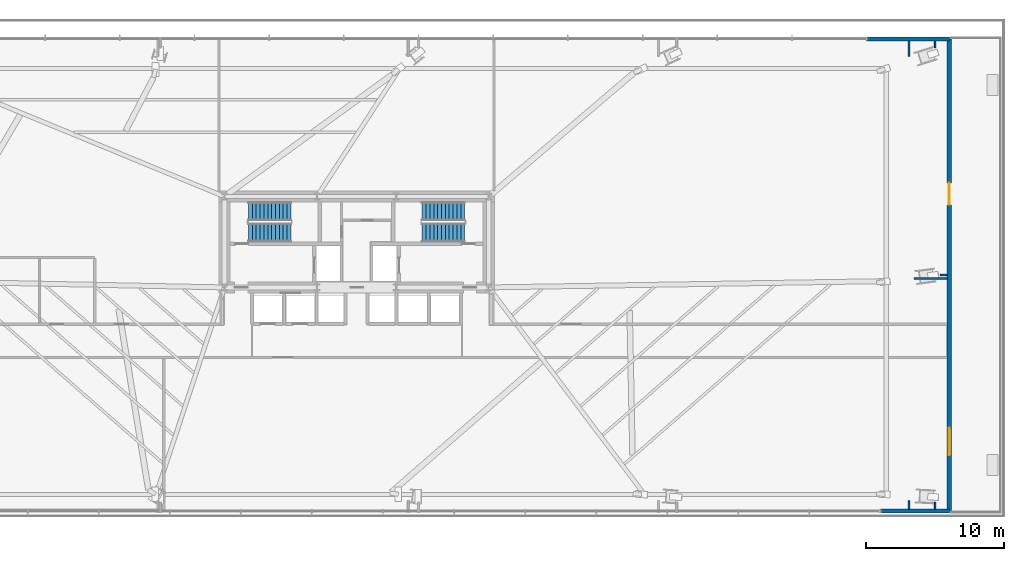
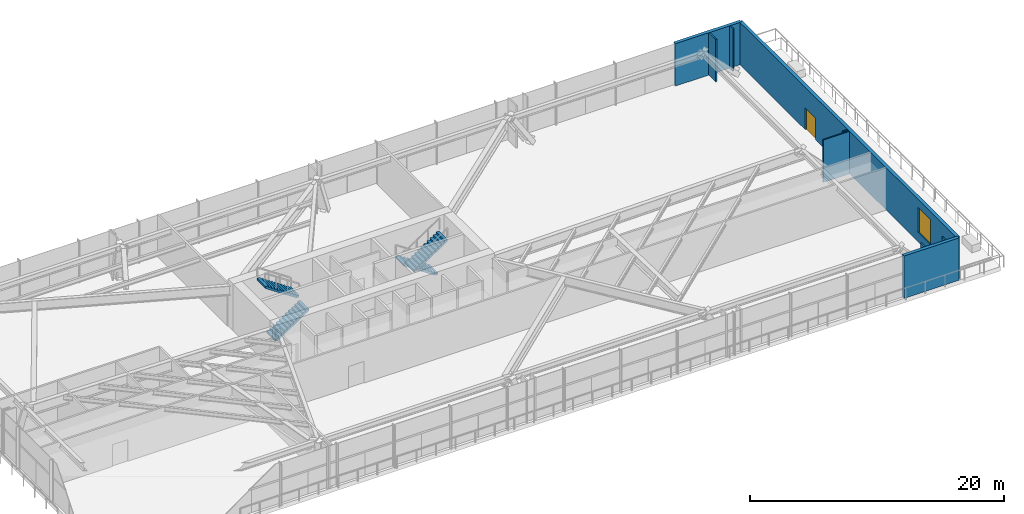
# One storey, part 28 of 36: 9 walls, 4 stair flights, 1 door, 1 window, 2 openings, 2 elements without a shape of their own.
"""IFC4 building model written with IfcOpenShell, lengths in metres."""

import ifcopenshell
import ifcopenshell.guid

model = None  # the IFC model being written
_history = None  # IfcOwnerHistory: only IFC2X3 demands one
_inside = {}  # id of a spatial element -> (the spatial element, [elements in it])
_under = {}  # id of a project, library or spatial element -> (it, [spatial elements below it])
_declared = {}  # id of a project -> (the project, [libraries it declares])
_typed = {}  # id of a type object -> (the type object, [elements of that type])
_made_of = {}  # id of a material, layer set ... -> (it, [elements and type objects made of it])


def new_model(schema):
    """Start an empty IFC model of exactly this schema.

    Asked for "IFC4X3", IfcOpenShell would pick the latest addendum, in which some entities
    have other attributes; the version numbers below select the first issue.
    IFC2X3 requires an IfcOwnerHistory on every rooted entity: one is made here for all.
    """
    global model, _history
    if schema == "IFC4X3":
        model = ifcopenshell.file(schema_version=(4, 3, 0, 0))
    else:
        model = ifcopenshell.file(schema=schema)
    _inside.clear()
    _under.clear()
    _declared.clear()
    _typed.clear()
    _made_of.clear()
    _history = None
    if model.schema == "IFC2X3":
        org = make("IfcOrganization", Name="unknown")
        user = make(
            "IfcPersonAndOrganization",
            ThePerson=make("IfcPerson", FamilyName="unknown"),
            TheOrganization=org,
        )
        app = make(
            "IfcApplication",
            ApplicationDeveloper=org,
            Version="unknown",
            ApplicationFullName="unknown",
            ApplicationIdentifier="unknown",
        )
        _history = make(
            "IfcOwnerHistory",
            OwningUser=user,
            OwningApplication=app,
            ChangeAction="ADDED",
            CreationDate=0,
        )
    return model


def make(cls, **values):
    """One entity of the class cls with the attributes given. An attribute that is None is left unset."""
    return model.create_entity(
        cls, **{name: value for name, value in values.items() if value is not None}
    )


def rooted(cls, **values):
    """An entity with a GlobalId (a new one), such as an element, a storey or a relation."""
    return make(cls, GlobalId=ifcopenshell.guid.new(), OwnerHistory=_history, **values)


def si_unit(unit_type, name, prefix=None):
    """IfcSIUnit, for example si_unit("LENGTHUNIT", "METRE", prefix="MILLI")."""
    return make("IfcSIUnit", UnitType=unit_type, Prefix=prefix, Name=name)


def assignment(units):
    """IfcUnitAssignment: the units of a project."""
    return None if units is None else make("IfcUnitAssignment", Units=units)


def point(xyz):
    """IfcCartesianPoint."""
    return None if xyz is None else make("IfcCartesianPoint", Coordinates=xyz)


def direction(xyz):
    """IfcDirection."""
    return None if xyz is None else make("IfcDirection", DirectionRatios=xyz)


def frame(location, z_axis=None, x_axis=None):
    """IfcAxis2Placement3D, a coordinate frame: its origin and axes. An axis left out is left unset."""
    return make(
        "IfcAxis2Placement3D",
        Location=point(location),
        Axis=direction(z_axis),
        RefDirection=direction(x_axis),
    )


def frame_2d(location, x_axis=None):
    """IfcAxis2Placement2D, a coordinate frame in the plane: its origin and x axis."""
    return make(
        "IfcAxis2Placement2D", Location=point(location), RefDirection=direction(x_axis)
    )


def origin():
    """The frame at (0, 0, 0) with its axes left unset."""
    return frame((0.0, 0.0, 0.0))


def place(relative_to, where):
    """IfcLocalPlacement: puts the frame where relative to a parent placement (None: the world)."""
    return make(
        "IfcLocalPlacement", PlacementRelTo=relative_to, RelativePlacement=where
    )


def context(
    kind, dimensions, precision=None, world=None, true_north=None, identifier=None
):
    """IfcGeometricRepresentationContext, for example the 3D "Model" context."""
    return make(
        "IfcGeometricRepresentationContext",
        ContextIdentifier=identifier,
        ContextType=kind,
        CoordinateSpaceDimension=dimensions,
        Precision=precision,
        WorldCoordinateSystem=world,
        TrueNorth=true_north,
    )


def subcontext(parent, identifier, kind, view, scale=None):
    """IfcGeometricRepresentationSubContext, for example "Body" below "Model"."""
    return make(
        "IfcGeometricRepresentationSubContext",
        ContextIdentifier=identifier,
        ContextType=kind,
        ParentContext=parent,
        TargetScale=scale,
        TargetView=view,
    )


def project(units=None, contexts=None):
    """IfcProject with its units and contexts."""
    return rooted(
        "IfcProject",
        Name="project",
        RepresentationContexts=contexts,
        UnitsInContext=assignment(units),
    )


def spatial(cls, under=None, at=None, **own):
    """A site, building, storey or space (cls), placed at a placement, below another one or the project."""
    s = rooted(cls, ObjectPlacement=at, **own)
    if under is not None:
        _under.setdefault(under.id(), (under, []))[1].append(s)
    return s


def polyline(points):
    """IfcPolyline through the points."""
    return make("IfcPolyline", Points=[point(p) for p in points])


def profile(cls, at=None, kind="AREA", **sizes):
    """A parametric profile (cls). Its sizes go by their IFC names, for example OverallWidth=200.0."""
    return make(cls, ProfileType=kind, Position=at, **sizes)


def rectangle(**sizes):
    """IfcRectangleProfileDef."""
    return profile("IfcRectangleProfileDef", **sizes)


def outline(outer, holes=None, kind="AREA"):
    """IfcArbitraryClosedProfileDef: a profile drawn as a closed curve; with holes, ...WithVoids."""
    if holes is None:
        return make("IfcArbitraryClosedProfileDef", ProfileType=kind, OuterCurve=outer)
    return make(
        "IfcArbitraryProfileDefWithVoids",
        ProfileType=kind,
        OuterCurve=outer,
        InnerCurves=holes,
    )


def extrude(swept, where, along, depth):
    """IfcExtrudedAreaSolid: the profile swept, set in the frame where, extruded along a direction by depth."""
    return make(
        "IfcExtrudedAreaSolid",
        SweptArea=swept,
        Position=where,
        ExtrudedDirection=direction(along),
        Depth=depth,
    )


def shape(context_of_items, identifier, shape_type, items):
    """IfcShapeRepresentation: the items that make up one representation, for example the "Body"."""
    return make(
        "IfcShapeRepresentation",
        ContextOfItems=context_of_items,
        RepresentationIdentifier=identifier,
        RepresentationType=shape_type,
        Items=items,
    )


def source(mapping_origin, context_of_items, identifier, shape_type, items):
    """IfcRepresentationMap: a shape defined once, which mapped items show again and again."""
    return make(
        "IfcRepresentationMap",
        MappingOrigin=mapping_origin,
        MappedRepresentation=shape(context_of_items, identifier, shape_type, items),
    )


def transform(
    local_origin,
    x_axis=None,
    y_axis=None,
    z_axis=None,
    scale=None,
    scale2=None,
    scale3=None,
    uniform=True,
):
    """IfcCartesianTransformationOperator3D, or its non-uniform kind. x_axis, y_axis, z_axis: its Axis1, 2, 3."""
    if uniform:
        return make(
            "IfcCartesianTransformationOperator3D",
            Axis1=direction(x_axis),
            Axis2=direction(y_axis),
            LocalOrigin=point(local_origin),
            Scale=scale,
            Axis3=direction(z_axis),
        )
    return make(
        "IfcCartesianTransformationOperator3DnonUniform",
        Axis1=direction(x_axis),
        Axis2=direction(y_axis),
        LocalOrigin=point(local_origin),
        Scale=scale,
        Axis3=direction(z_axis),
        Scale2=scale2,
        Scale3=scale3,
    )


def mapped(mapping_source, mapping_target):
    """IfcMappedItem: shows the shape of a source again, moved by a transform."""
    return make(
        "IfcMappedItem", MappingSource=mapping_source, MappingTarget=mapping_target
    )


def material(Name=None, Category=None):
    """IfcMaterial."""
    return make("IfcMaterial", Name=Name, Category=Category)


def layer(
    of_material, thickness, ventilated=None, Name=None, Category=None, Priority=None
):
    """IfcMaterialLayer: one layer of a wall or slab, of a material (None: an air gap)."""
    return make(
        "IfcMaterialLayer",
        Material=of_material,
        LayerThickness=thickness,
        IsVentilated=ventilated,
        Name=Name,
        Category=Category,
        Priority=Priority,
    )


def layer_set(layers, Name=None):
    """IfcMaterialLayerSet."""
    return make("IfcMaterialLayerSet", MaterialLayers=layers, LayerSetName=Name)


def made_of(thing, what):
    """Note that an element or type object is made of a material, layer set ...; save() writes the relation."""
    if what is not None:
        _made_of.setdefault(what.id(), (what, []))[1].append(thing)
    return thing


def type_object(cls, material=None, **own):
    """A type object (cls), such as IfcWallType, which elements share."""
    return made_of(rooted(cls, **own), material)


def type_shapes(of_type, sources):
    """Give a type object the sources (RepresentationMaps) that its elements show as mapped items."""
    of_type.RepresentationMaps = sources


def element(
    cls,
    number,
    at=None,
    inside=None,
    cuts=None,
    type_object=None,
    material=None,
    context=None,
    identifier="Body",
    shape_type=None,
    held_by="IfcProductDefinitionShape",
    body=None,
    shapes=None,
    **own,
):
    """One element of the class cls, such as IfcWall. Its Tag is "e" and its number.

    at: its placement. inside: the storey or other place that contains it. cuts: it is an
    opening in that element (IfcRelVoidsElement). A single representation is given by context,
    identifier, shape_type and body (its items); several are given by shapes. held_by: the class
    of the entity that holds the representations. save() writes the other relations.
    """
    e = rooted(cls, Tag="e%d" % number, ObjectPlacement=at, **own)
    if body is not None:
        shapes = [shape(context, identifier, shape_type, body)]
    if shapes is not None:
        e.Representation = make(held_by, Representations=shapes)
    if inside is not None:
        _inside.setdefault(inside.id(), (inside, []))[1].append(e)
    if cuts is not None:
        rooted(
            "IfcRelVoidsElement", RelatingBuildingElement=cuts, RelatedOpeningElement=e
        )
    if type_object is not None:
        _typed.setdefault(type_object.id(), (type_object, []))[1].append(e)
    return made_of(e, material)


def fill(opening, filler):
    """IfcRelFillsElement: the door or window that sits in an opening."""
    return rooted(
        "IfcRelFillsElement",
        RelatingOpeningElement=opening,
        RelatedBuildingElement=filler,
    )


def aggregate(whole, parts):
    """IfcRelAggregates: a whole, such as a stair, and the parts it consists of."""
    return rooted("IfcRelAggregates", RelatingObject=whole, RelatedObjects=parts)


def save(model, path):
    """Write the relations noted so far, then the file.

    IfcRelAggregates (storeys below a building ...), IfcRelContainedInSpatialStructure (elements
    in a storey), IfcRelDefinesByType, IfcRelAssociatesMaterial and IfcRelDeclares: one each for
    every whole, place, type object, material and project.
    """
    for whole, parts in _under.values():
        aggregate(whole, parts)
    for where, things in _inside.values():
        rooted(
            "IfcRelContainedInSpatialStructure",
            RelatedElements=things,
            RelatingStructure=where,
        )
    for kind, things in _typed.values():
        rooted("IfcRelDefinesByType", RelatedObjects=things, RelatingType=kind)
    for what, things in _made_of.values():
        rooted("IfcRelAssociatesMaterial", RelatedObjects=things, RelatingMaterial=what)
    for by, libraries in _declared.values():
        rooted("IfcRelDeclares", RelatingContext=by, RelatedDefinitions=libraries)
    model.write(path)


model = new_model("IFC4")

# Units and contexts
model_context = context("Model", 3, precision=1e-05, world=origin(), true_north=direction((0.0, 1.0)))
body_context = subcontext(model_context, "Body", "Model", "MODEL_VIEW")
ifc_project = project(units=[si_unit("LENGTHUNIT", "METRE"), si_unit("AREAUNIT", "SQUARE_METRE"), si_unit("VOLUMEUNIT", "CUBIC_METRE"), si_unit("PLANEANGLEUNIT", "RADIAN"), si_unit("MASSUNIT", "GRAM", prefix="KILO")], contexts=[model_context])

# Site, building, storey
site_placement = place(None, origin())
site = spatial("IfcSite", under=ifc_project, at=site_placement, CompositionType="ELEMENT")
building_placement = place(site_placement, origin())
building = spatial("IfcBuilding", under=site, at=building_placement, Name="Astriad Promenade Condominiums", CompositionType="ELEMENT")
storey_placement = place(building_placement, frame((0.0, 0.0, 5.0)))
storey = spatial("IfcBuildingStorey", under=building, at=storey_placement, Name="L01", CompositionType="ELEMENT", Elevation=5.0)

# Wall
ifc_material_1 = material(Name="Precast concrete C50/60", Category="concrete")
ifc_layer_1 = layer(ifc_material_1, 0.300048828125)
ifc_layer_set_1 = layer_set([ifc_layer_1], Name="Precast concrete C50/60")
wall_type_1 = type_object("IfcWallType", Name="WALL-EXT-POD-300", PredefinedType="STANDARD", material=ifc_layer_set_1)
wall_1_placement = place(storey_placement, frame((73.050048828125, 35.449951171875, 0.0), z_axis=(0.0, 0.0, 1.0), x_axis=(1.0, 0.0, 0.0)))
element("IfcWall", 1, at=wall_1_placement, inside=storey, type_object=wall_type_1, Name="W-EXT-L01-N2", PredefinedType="STANDARD", context=body_context, shape_type="SweptSolid", body=[
    extrude(rectangle(XDim=6.0, YDim=0.300048828125, at=frame_2d((3.0, 0.0))), origin(), (0.0, 0.0, 1.0), 4.080078125),
])

# Wall, openings, window, door
wall_2_placement = place(storey_placement, frame((79.050048828125, 35.449951171875, 0.0), z_axis=(0.0, 0.0, 1.0), x_axis=(0.0, -1.0, 0.0)))
wall_2 = element("IfcWall", 2, at=wall_2_placement, inside=storey, type_object=wall_type_1, Name="W-EXT-L01-E1", PredefinedType="STANDARD", context=body_context, shape_type="SweptSolid", body=[
    extrude(rectangle(XDim=34.300048828125, YDim=0.300048828125, at=frame_2d((17.14990234375, 0.0))), origin(), (0.0, 0.0, 1.0), 4.080078125),
])
opening_1_placement = place(wall_2_placement, frame((10.449951171875, 0.0, 0.0)))
opening_1 = element("IfcOpeningElement", 3, at=opening_1_placement, cuts=wall_2, Name="Opening TD-1622-TER", PredefinedType="OPENING", context=body_context, shape_type="SweptSolid", body=[
    extrude(rectangle(XDim=1.60009765625, YDim=2.10009765625, at=frame_2d((0.800048828125, 1.050048828125))), frame((0.0, 0.159912109375, 0.0), z_axis=(0.0, -1.0, 0.0), x_axis=(1.0, 0.0, 0.0)), (0.0, 0.0, 1.0), 0.320068359375),
])
opening_2_placement = place(wall_2_placement, frame((28.25, 0.0, 0.89990234375)))
opening_2 = element("IfcOpeningElement", 4, at=opening_2_placement, cuts=wall_2, Name="Opening WIN-POD-2024", PredefinedType="OPENING", context=body_context, shape_type="SweptSolid", body=[
    extrude(rectangle(XDim=2.0, YDim=2.39990234375, at=frame_2d((1.0, 1.199951171875))), frame((0.0, 0.159912109375, 0.0), z_axis=(0.0, -1.0, 0.0), x_axis=(1.0, 0.0, 0.0)), (0.0, 0.0, 1.0), 0.320068359375),
])
ifc_material_2 = material(Name="Dark Tinted Storefront Window")
window_type = type_object("IfcWindowType", Name="WIN-POD-2024", PartitioningType="SINGLE_PANEL", PredefinedType="WINDOW", material=ifc_material_2)
shared_shape_1 = source(origin(), body_context, "Body", "SweptSolid", [
    extrude(rectangle(XDim=2.0, YDim=2.39990234375, at=frame_2d((1.0, 1.199951171875))), frame((0.0, 0.030029296875, 0.0), z_axis=(0.0, -1.0, 0.0), x_axis=(1.0, 0.0, 0.0)), (0.0, 0.0, 1.0), 0.06005859375),
])
type_shapes(window_type, [shared_shape_1])
window_placement = place(opening_2_placement, origin())
window = element("IfcWindow", 5, at=window_placement, inside=storey, type_object=window_type, Name="WIN-L01-E1", OverallHeight=2.39990234375, OverallWidth=2.0, PartitioningType="SINGLE_PANEL", PredefinedType="WINDOW", context=body_context, shape_type="MappedRepresentation", body=[
    mapped(shared_shape_1, transform((0.0, 0.0, 0.0), scale=1.0)),
])
fill(opening_2, window)
ifc_material_3 = material(Name="Thermally Broken Aluminium Terrace Double Door", Category="aluminium")
door_type = type_object("IfcDoorType", Name="TD-1622-TER", OperationType="NOTDEFINED", PredefinedType="DOOR", material=ifc_material_3)
shared_shape_2 = source(origin(), body_context, "Body", "SweptSolid", [
    extrude(rectangle(XDim=1.60009765625, YDim=2.10009765625, at=frame_2d((0.800048828125, 1.050048828125))), frame((0.0, 0.02490234375, 0.0), z_axis=(0.0, -1.0, 0.0), x_axis=(1.0, 0.0, 0.0)), (0.0, 0.0, 1.0), 0.050048828125),
])
type_shapes(door_type, [shared_shape_2])
door_placement = place(opening_1_placement, origin())
door = element("IfcDoor", 6, at=door_placement, inside=storey, type_object=door_type, Name="TD-L01", OperationType="DOUBLE_DOOR_SINGLE_SWING", OverallHeight=2.10009765625, OverallWidth=1.60009765625, PredefinedType="DOOR", context=body_context, shape_type="MappedRepresentation", body=[
    mapped(shared_shape_2, transform((0.0, 0.0, 0.0), scale=1.0)),
])
fill(opening_1, door)

# Walls
wall_3_placement = place(storey_placement, frame((79.050048828125, 1.14990234375, 0.0), z_axis=(0.0, 0.0, 1.0), x_axis=(-1.0, 0.0, 0.0)))
element("IfcWall", 7, at=wall_3_placement, inside=storey, type_object=wall_type_1, Name="W-EXT-L01-S1", PredefinedType="STANDARD", context=body_context, shape_type="SweptSolid", body=[
    extrude(rectangle(XDim=5.0, YDim=0.300048828125, at=frame_2d((2.5, 0.0))), origin(), (0.0, 0.0, 1.0), 4.080078125),
])
ifc_material_4 = material(Name="Acoustic Metal-Stud Gypsum Partition")
ifc_layer_2 = layer(ifc_material_4, 0.1201171875)
ifc_layer_set_2 = layer_set([ifc_layer_2], Name="Acoustic Metal-Stud Gypsum Partition")
wall_type_2 = type_object("IfcWallType", Name="WALL-PART-120", PredefinedType="PARTITIONING", material=ifc_layer_set_2)
wall_4_placement = place(storey_placement, frame((76.1201171875, 1.89990234375, 0.0), z_axis=(0.0, 0.0, 1.0), x_axis=(0.0, -1.0, 0.0)))
element("IfcWall", 8, at=wall_4_placement, inside=storey, type_object=wall_type_2, Name="PT-PIL-L01-PC05-12", PredefinedType="PARTITIONING", context=body_context, shape_type="SweptSolid", body=[
    extrude(rectangle(XDim=0.597900390625, YDim=0.1201171875, at=frame_2d((0.298828125, 0.0))), origin(), (0.0, 0.0, 1.0), 4.080078125),
])
wall_5_placement = place(storey_placement, frame((76.1201171875, 34.199951171875, 0.0), z_axis=(0.0, 0.0, 1.0), x_axis=(0.0, 1.0, 0.0)))
element("IfcWall", 9, at=wall_5_placement, inside=storey, type_object=wall_type_2, Name="PT-PIL-L01-PC10-17", PredefinedType="PARTITIONING", context=body_context, shape_type="SweptSolid", body=[
    extrude(rectangle(XDim=1.09814453125, YDim=0.1201171875, at=frame_2d((0.549072265625, 0.0))), origin(), (0.0, 0.0, 1.0), 4.080078125),
])
wall_6_placement = place(storey_placement, frame((76.5, 18.050048828125, 0.0), z_axis=(0.0, 0.0, 1.0), x_axis=(1.0, 0.0, 0.0)))
element("IfcWall", 10, at=wall_6_placement, inside=storey, type_object=wall_type_2, Name="PT-PIL-L01-PC12-19", PredefinedType="PARTITIONING", context=body_context, shape_type="SweptSolid", body=[
    extrude(rectangle(XDim=2.39794921875, YDim=0.1201171875, at=frame_2d((1.198974609375, 0.0))), origin(), (0.0, 0.0, 1.0), 4.080078125),
])
for number, where, z_axis, x_axis, name in (
    (11, (78.02001953125, 1.800048828125, 0.0), (0.0, 0.0, 1.0), (0.0, -1.0, 0.0), "PT-PIL-L01-PC05-24"),
    (12, (78.02001953125, 34.800048828125, 0.0), (0.0, 0.0, 1.0), (0.0, 1.0, 0.0), "PT-PIL-L01-PC10-29"),
    (13, (78.39990234375, 18.300048828125, 0.0), (0.0, 0.0, 1.0), (1.0, 0.0, 0.0), "PT-PIL-L01-PC12-31"),
):
    element("IfcWall", number, at=place(storey_placement, frame(where, z_axis=z_axis, x_axis=x_axis)), inside=storey, type_object=wall_type_2, Name=name, PredefinedType="PARTITIONING", context=body_context, shape_type="SweptSolid", body=[
        extrude(rectangle(XDim=0.498046875, YDim=0.1201171875, at=frame_2d((0.2490234375, 0.0))), origin(), (0.0, 0.0, 1.0), 4.080078125),
    ])

# Stair, stair flights
ifc_material_5 = material(Name="Concrete C50/60", Category="concrete")
stair_type = type_object("IfcStairType", Name="STR-CORE-1350", PredefinedType="HALF_TURN_STAIR", material=ifc_material_5)
stair_1_placement = place(storey_placement, origin())
stair_1 = element("IfcStair", 14, at=stair_1_placement, inside=storey, type_object=stair_type, Name="L01 Enclosed Core Exit Stair ST-1", PredefinedType="HALF_TURN_STAIR")
stair_flight_type = type_object("IfcStairFlightType", Name="SFL-CORE-1350", PredefinedType="STRAIGHT", material=ifc_material_5)
shared_shape_3 = source(origin(), body_context, "Body", "SweptSolid", [
    extrude(outline(polyline([(0.0, 0.0), (0.0, 0.1875), (0.280029296875, 0.1875), (0.280029296875, 0.375), (0.56005859375, 0.375), (0.56005859375, 0.5625), (0.840087890625, 0.5625), (0.840087890625, 0.75), (1.1201171875, 0.75), (1.1201171875, 0.9375), (1.39990234375, 0.9375), (1.39990234375, 1.125), (1.679931640625, 1.125), (1.679931640625, 1.3125), (1.9599609375, 1.3125), (1.9599609375, 1.5), (2.239990234375, 1.5), (2.239990234375, 1.6875), (2.52001953125, 1.6875), (2.52001953125, 1.875), (2.800048828125, 1.875), (2.800048828125, 2.0625), (3.080078125, 2.0625), (3.080078125, 2.25), (3.080078125, 1.882080078125), (0.26953125, 0.0), (0.0, 0.0)])), frame((0.0, 0.675048828125, 0.0), z_axis=(0.0, -1.0, 0.0), x_axis=(1.0, 0.0, 0.0)), (0.0, 0.0, 1.0), 1.35009765625),
])
type_shapes(stair_flight_type, [shared_shape_3])
stair_flight_1_placement = place(storey_placement, frame((28.14990234375, 21.375, 0.0), z_axis=(0.0, 0.0, 1.0), x_axis=(1.0, 0.0, 0.0)))
stair_flight_1 = element("IfcStairFlight", 15, at=stair_flight_1_placement, type_object=stair_flight_type, Name="ST-1 flight 1", NumberOfRisers=12, NumberOfTreads=11, PredefinedType="STRAIGHT", RiserHeight=0.1875, TreadLength=0.28, context=body_context, shape_type="MappedRepresentation", body=[
    mapped(shared_shape_3, transform((0.0, 0.0, 0.0), scale=1.0)),
])
stair_flight_2_placement = place(storey_placement, frame((31.22998046875, 22.925048828125, 2.25), z_axis=(0.0, 0.0, 1.0), x_axis=(-1.0, 0.0, 0.0)))
stair_flight_2 = element("IfcStairFlight", 16, at=stair_flight_2_placement, type_object=stair_flight_type, Name="ST-1 flight 2", NumberOfRisers=12, NumberOfTreads=11, PredefinedType="STRAIGHT", RiserHeight=0.1875, TreadLength=0.28, context=body_context, shape_type="MappedRepresentation", body=[
    mapped(shared_shape_3, transform((0.0, 0.0, 0.0), scale=1.0)),
])
aggregate(stair_1, [stair_flight_1, stair_flight_2])

stair_2_placement = place(storey_placement, origin())
stair_2 = element("IfcStair", 17, at=stair_2_placement, inside=storey, type_object=stair_type, Name="L01 Enclosed Core Exit Stair ST-2", PredefinedType="HALF_TURN_STAIR")
stair_flight_3_placement = place(storey_placement, frame((43.85009765625, 22.925048828125, 0.0), z_axis=(0.0, 0.0, 1.0), x_axis=(-1.0, 0.0, 0.0)))
stair_flight_3 = element("IfcStairFlight", 18, at=stair_flight_3_placement, type_object=stair_flight_type, Name="ST-2 flight 1", NumberOfRisers=12, NumberOfTreads=11, PredefinedType="STRAIGHT", RiserHeight=0.1875, TreadLength=0.28, context=body_context, shape_type="MappedRepresentation", body=[
    mapped(shared_shape_3, transform((0.0, 0.0, 0.0), scale=1.0)),
])
stair_flight_4_placement = place(storey_placement, frame((40.77001953125, 21.375, 2.25), z_axis=(0.0, 0.0, 1.0), x_axis=(1.0, 0.0, 0.0)))
stair_flight_4 = element("IfcStairFlight", 19, at=stair_flight_4_placement, type_object=stair_flight_type, Name="ST-2 flight 2", NumberOfRisers=12, NumberOfTreads=11, PredefinedType="STRAIGHT", RiserHeight=0.1875, TreadLength=0.28, context=body_context, shape_type="MappedRepresentation", body=[
    mapped(shared_shape_3, transform((0.0, 0.0, 0.0), scale=1.0)),
])
aggregate(stair_2, [stair_flight_3, stair_flight_4])

save(model, "model.ifc")
